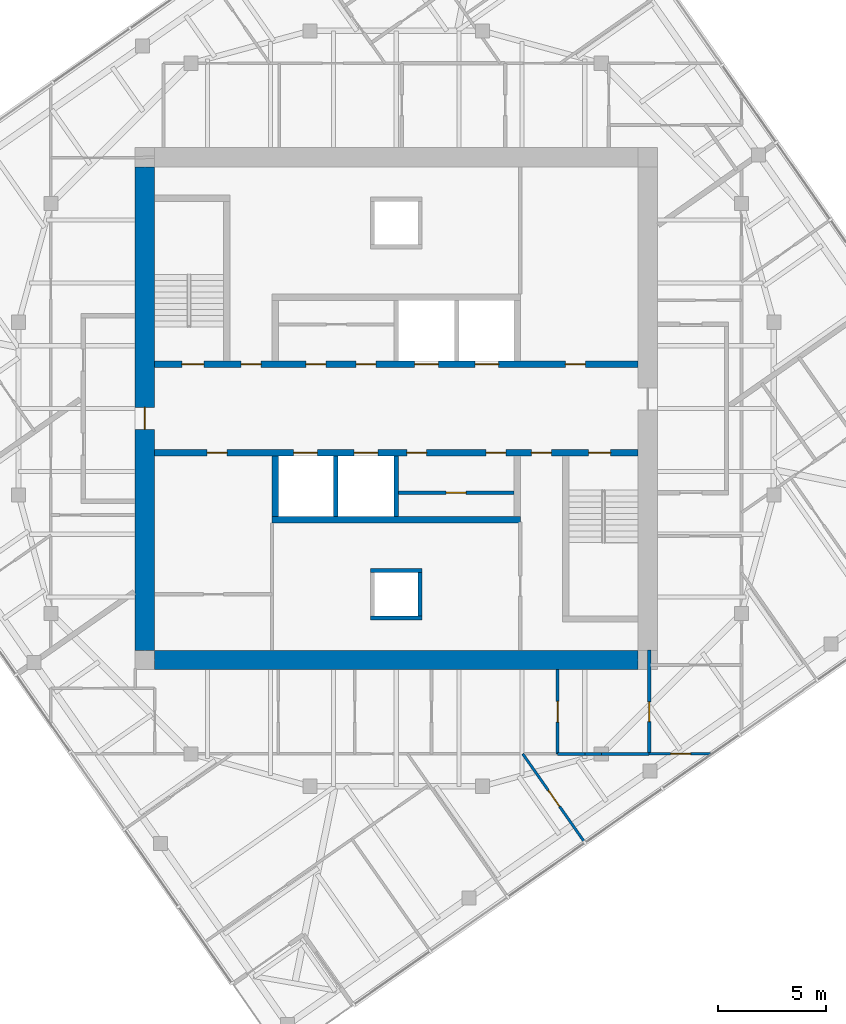
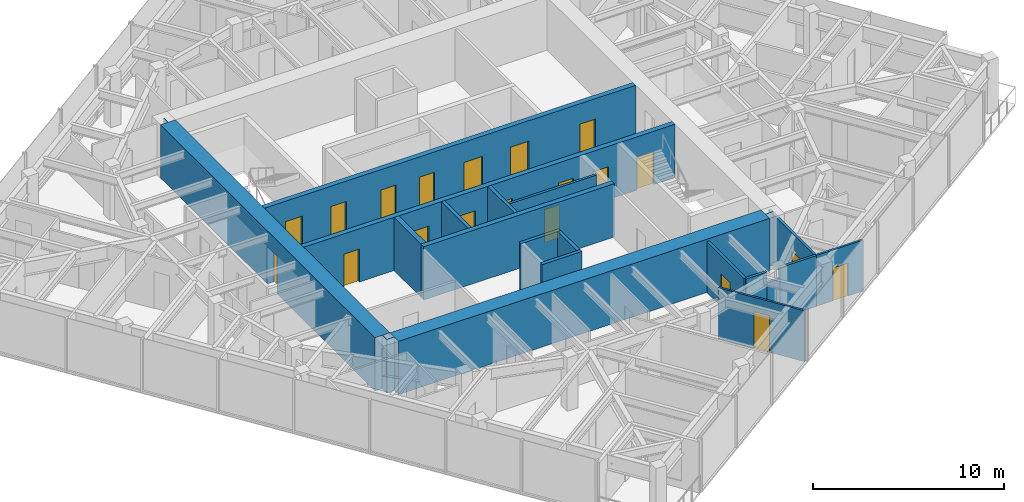
# One storey, part 8 of 12: 20 doors, 19 walls, 20 openings.
"""IFC4 building model written with IfcOpenShell, lengths in metres."""

from ifc_helpers import new_model, si_unit, direction, frame, frame_2d, origin, place, context, subcontext, project, spatial, polyline, rectangle, outline, extrude, material, layer, layer_set, type_object, element, fill, save


model = new_model("IFC4")

# Units and contexts
model_context = context("Model", 3, precision=1e-05, world=origin(), true_north=direction((0.0, 1.0)))
body_context = subcontext(model_context, "Body", "Model", "MODEL_VIEW")
ifc_project = project(units=[si_unit("LENGTHUNIT", "METRE"), si_unit("AREAUNIT", "SQUARE_METRE"), si_unit("VOLUMEUNIT", "CUBIC_METRE"), si_unit("PLANEANGLEUNIT", "RADIAN"), si_unit("MASSUNIT", "GRAM", prefix="KILO")], contexts=[model_context])

# Site, building, storey
site_placement = place(None, origin())
site = spatial("IfcSite", under=ifc_project, at=site_placement, CompositionType="ELEMENT")
building_placement = place(site_placement, origin())
building = spatial("IfcBuilding", under=site, at=building_placement, Name="Torsade Residences", CompositionType="ELEMENT")
storey_placement = place(building_placement, frame((0.0, 0.0, 257.39990234375)))
storey = spatial("IfcBuildingStorey", under=building, at=storey_placement, Name="L71", CompositionType="ELEMENT", Elevation=257.39990234375)

# Wall, openings, doors
ifc_material_1 = material(Name="Concrete 80 MPa", Category="concrete")
ifc_layer_1 = layer(ifc_material_1, 0.300048828125)
ifc_layer_set_1 = layer_set([ifc_layer_1], Name="Concrete 80 MPa")
wall_type_1 = type_object("IfcWallType", Name="CORE INTERNAL WALL 300", PredefinedType="SHEAR", material=ifc_layer_set_1)
wall_1_placement = place(storey_placement, frame((28.800048828125, 32.050048828125, 0.0), z_axis=(0.0, 0.0, 1.0), x_axis=(1.0, 0.0, 0.0)))
wall_1 = element("IfcWall", 1, at=wall_1_placement, inside=storey, type_object=wall_type_1, Name="Core wall LN L71", PredefinedType="SHEAR", context=body_context, shape_type="SweptSolid", body=[
    extrude(rectangle(XDim=22.39990234375, YDim=0.300048828125, at=frame_2d((11.199951171875, 0.0))), origin(), (0.0, 0.0, 1.0), 3.400146484375),
])
opening_1_placement = place(wall_1_placement, frame((19.0400390625, 0.0, 0.0)))
opening_1 = element("IfcOpeningElement", 2, at=opening_1_placement, cuts=wall_1, Name="Opening D06", PredefinedType="OPENING", context=body_context, shape_type="SweptSolid", body=[
    extrude(rectangle(XDim=0.919921875, YDim=2.10009765625, at=frame_2d((0.4599609375, 1.050048828125))), frame((0.0, 0.159912109375, 0.0), z_axis=(0.0, -1.0, 0.0), x_axis=(1.0, 0.0, 0.0)), (0.0, 0.0, 1.0), 0.320068359375),
])
opening_2_placement = place(wall_1_placement, frame((1.264892578125, 0.0, 0.0)))
opening_2 = element("IfcOpeningElement", 3, at=opening_2_placement, cuts=wall_1, Name="Opening D03", PredefinedType="OPENING", context=body_context, shape_type="SweptSolid", body=[
    extrude(rectangle(XDim=1.02001953125, YDim=2.10009765625, at=frame_2d((0.510009765625, 1.050048828125))), frame((0.0, 0.159912109375, 0.0), z_axis=(0.0, -1.0, 0.0), x_axis=(1.0, 0.0, 0.0)), (0.0, 0.0, 1.0), 0.320068359375),
])
opening_3_placement = place(wall_1_placement, frame((4.014892578125, 0.0, 0.0)))
opening_3 = element("IfcOpeningElement", 4, at=opening_3_placement, cuts=wall_1, Name="Opening D06", PredefinedType="OPENING", context=body_context, shape_type="SweptSolid", body=[
    extrude(rectangle(XDim=0.919921875, YDim=2.10009765625, at=frame_2d((0.4599609375, 1.050048828125))), frame((0.0, 0.159912109375, 0.0), z_axis=(0.0, -1.0, 0.0), x_axis=(1.0, 0.0, 0.0)), (0.0, 0.0, 1.0), 0.320068359375),
])
opening_4_placement = place(wall_1_placement, frame((7.014892578125, 0.0, 0.0)))
opening_4 = element("IfcOpeningElement", 5, at=opening_4_placement, cuts=wall_1, Name="Opening D06", PredefinedType="OPENING", context=body_context, shape_type="SweptSolid", body=[
    extrude(rectangle(XDim=0.919921875, YDim=2.10009765625, at=frame_2d((0.4599609375, 1.050048828125))), frame((0.0, 0.159912109375, 0.0), z_axis=(0.0, -1.0, 0.0), x_axis=(1.0, 0.0, 0.0)), (0.0, 0.0, 1.0), 0.320068359375),
])
opening_5_placement = place(wall_1_placement, frame((9.340087890625, 0.0, 0.0)))
opening_5 = element("IfcOpeningElement", 6, at=opening_5_placement, cuts=wall_1, Name="Opening D06", PredefinedType="OPENING", context=body_context, shape_type="SweptSolid", body=[
    extrude(rectangle(XDim=0.919921875, YDim=2.10009765625, at=frame_2d((0.4599609375, 1.050048828125))), frame((0.0, 0.159912109375, 0.0), z_axis=(0.0, -1.0, 0.0), x_axis=(1.0, 0.0, 0.0)), (0.0, 0.0, 1.0), 0.320068359375),
])
opening_6_placement = place(wall_1_placement, frame((12.050048828125, 0.0, 0.0)))
opening_6 = element("IfcOpeningElement", 7, at=opening_6_placement, cuts=wall_1, Name="Opening LD", PredefinedType="OPENING", context=body_context, shape_type="SweptSolid", body=[
    extrude(rectangle(XDim=1.10009765625, YDim=2.10009765625, at=frame_2d((0.550048828125, 1.050048828125))), frame((0.0, 0.159912109375, 0.0), z_axis=(0.0, -1.0, 0.0), x_axis=(1.0, 0.0, 0.0)), (0.0, 0.0, 1.0), 0.320068359375),
])
opening_7_placement = place(wall_1_placement, frame((14.85009765625, 0.0, 0.0)))
opening_7 = element("IfcOpeningElement", 8, at=opening_7_placement, cuts=wall_1, Name="Opening LD", PredefinedType="OPENING", context=body_context, shape_type="SweptSolid", body=[
    extrude(rectangle(XDim=1.10009765625, YDim=2.10009765625, at=frame_2d((0.550048828125, 1.050048828125))), frame((0.0, 0.159912109375, 0.0), z_axis=(0.0, -1.0, 0.0), x_axis=(1.0, 0.0, 0.0)), (0.0, 0.0, 1.0), 0.320068359375),
])
ifc_material_2 = material(Name="Steel-framed fire door", Category="steel")
door_type_1 = type_object("IfcDoorType", Name="FIRE DOOR 1020", OperationType="NOTDEFINED", PredefinedType="DOOR", material=ifc_material_2)
door_1_placement = place(opening_2_placement, origin())
door_1 = element("IfcDoor", 9, at=door_1_placement, inside=storey, type_object=door_type_1, Name="Exit door to fire-isolated stair ST1 L71", OperationType="SINGLE_SWING_RIGHT", OverallHeight=2.10009765625, OverallWidth=1.02001953125, PredefinedType="DOOR", context=body_context, shape_type="SweptSolid", body=[
    extrude(rectangle(XDim=1.02001953125, YDim=2.10009765625, at=frame_2d((0.510009765625, 1.050048828125))), frame((0.0, 0.02490234375, 0.0), z_axis=(0.0, -1.0, 0.0), x_axis=(1.0, 0.0, 0.0)), (0.0, 0.0, 1.0), 0.050048828125),
])
fill(opening_2, door_1)
ifc_material_3 = material(Name="Steel-framed fire door", Category="steel")
door_type_2 = type_object("IfcDoorType", Name="FIRE DOOR 920", OperationType="NOTDEFINED", PredefinedType="DOOR", material=ifc_material_3)
door_2_placement = place(opening_1_placement, origin())
door_2 = element("IfcDoor", 10, at=door_2_placement, inside=storey, type_object=door_type_2, Name="Door Lift lobby to Refuse room", OperationType="SINGLE_SWING_LEFT", OverallHeight=2.10009765625, OverallWidth=0.919921875, PredefinedType="DOOR", context=body_context, shape_type="SweptSolid", body=[
    extrude(rectangle(XDim=0.919921875, YDim=2.10009765625, at=frame_2d((0.4599609375, 1.050048828125))), frame((0.0, 0.02490234375, 0.0), z_axis=(0.0, -1.0, 0.0), x_axis=(1.0, 0.0, 0.0)), (0.0, 0.0, 1.0), 0.050048828125),
])
fill(opening_1, door_2)
door_3_placement = place(opening_3_placement, origin())
door_3 = element("IfcDoor", 11, at=door_3_placement, inside=storey, type_object=door_type_2, Name="Door Lift lobby to Electrical riser room", OperationType="SINGLE_SWING_LEFT", OverallHeight=2.10009765625, OverallWidth=0.919921875, PredefinedType="DOOR", context=body_context, shape_type="SweptSolid", body=[
    extrude(rectangle(XDim=0.919921875, YDim=2.10009765625, at=frame_2d((0.4599609375, 1.050048828125))), frame((0.0, 0.02490234375, 0.0), z_axis=(0.0, -1.0, 0.0), x_axis=(1.0, 0.0, 0.0)), (0.0, 0.0, 1.0), 0.050048828125),
])
fill(opening_3, door_3)
door_4_placement = place(opening_4_placement, origin())
door_4 = element("IfcDoor", 12, at=door_4_placement, inside=storey, type_object=door_type_2, Name="Door Lift lobby to Residents storage L71A", OperationType="SINGLE_SWING_RIGHT", OverallHeight=2.10009765625, OverallWidth=0.919921875, PredefinedType="DOOR", context=body_context, shape_type="SweptSolid", body=[
    extrude(rectangle(XDim=0.919921875, YDim=2.10009765625, at=frame_2d((0.4599609375, 1.050048828125))), frame((0.0, 0.02490234375, 0.0), z_axis=(0.0, -1.0, 0.0), x_axis=(1.0, 0.0, 0.0)), (0.0, 0.0, 1.0), 0.050048828125),
])
fill(opening_4, door_4)
door_5_placement = place(opening_5_placement, origin())
door_5 = element("IfcDoor", 13, at=door_5_placement, inside=storey, type_object=door_type_2, Name="Door Lift lobby to Residents storage L71A", OperationType="SINGLE_SWING_RIGHT", OverallHeight=2.10009765625, OverallWidth=0.919921875, PredefinedType="DOOR", context=body_context, shape_type="SweptSolid", body=[
    extrude(rectangle(XDim=0.919921875, YDim=2.10009765625, at=frame_2d((0.4599609375, 1.050048828125))), frame((0.0, 0.02490234375, 0.0), z_axis=(0.0, -1.0, 0.0), x_axis=(1.0, 0.0, 0.0)), (0.0, 0.0, 1.0), 0.050048828125),
])
fill(opening_5, door_5)
ifc_material_4 = material(Name="Stainless steel lift landing door", Category="steel")
door_type_3 = type_object("IfcDoorType", Name="LIFT LANDING DOOR 1100", OperationType="SLIDING_TO_LEFT", PredefinedType="DOOR", material=ifc_material_4)
door_6_placement = place(opening_6_placement, origin())
door_6 = element("IfcDoor", 14, at=door_6_placement, inside=storey, type_object=door_type_3, Name="Lift LA3 landing door L71", OperationType="SLIDING_TO_LEFT", OverallHeight=2.10009765625, OverallWidth=1.10009765625, PredefinedType="DOOR", context=body_context, shape_type="SweptSolid", body=[
    extrude(rectangle(XDim=1.10009765625, YDim=2.10009765625, at=frame_2d((0.550048828125, 1.050048828125))), frame((0.0, 0.02490234375, 0.0), z_axis=(0.0, -1.0, 0.0), x_axis=(1.0, 0.0, 0.0)), (0.0, 0.0, 1.0), 0.050048828125),
])
fill(opening_6, door_6)
door_7_placement = place(opening_7_placement, origin())
door_7 = element("IfcDoor", 15, at=door_7_placement, inside=storey, type_object=door_type_3, Name="Lift FL1 landing door L71", OperationType="SLIDING_TO_LEFT", OverallHeight=2.10009765625, OverallWidth=1.10009765625, PredefinedType="DOOR", context=body_context, shape_type="SweptSolid", body=[
    extrude(rectangle(XDim=1.10009765625, YDim=2.10009765625, at=frame_2d((0.550048828125, 1.050048828125))), frame((0.0, 0.02490234375, 0.0), z_axis=(0.0, -1.0, 0.0), x_axis=(1.0, 0.0, 0.0)), (0.0, 0.0, 1.0), 0.050048828125),
])
fill(opening_7, door_7)

wall_2_placement = place(storey_placement, frame((51.199951171875, 27.949951171875, 0.0), z_axis=(0.0, 0.0, 1.0), x_axis=(-1.0, 0.0, 0.0)))
wall_2 = element("IfcWall", 16, at=wall_2_placement, inside=storey, type_object=wall_type_1, Name="Core wall LS L71", PredefinedType="SHEAR", context=body_context, shape_type="SweptSolid", body=[
    extrude(rectangle(XDim=22.39990234375, YDim=0.300048828125, at=frame_2d((11.199951171875, 0.0))), origin(), (0.0, 0.0, 1.0), 3.400146484375),
])
opening_8_placement = place(wall_2_placement, frame((19.0400390625, 0.0, 0.0)))
opening_8 = element("IfcOpeningElement", 17, at=opening_8_placement, cuts=wall_2, Name="Opening D06", PredefinedType="OPENING", context=body_context, shape_type="SweptSolid", body=[
    extrude(rectangle(XDim=0.919921875, YDim=2.10009765625, at=frame_2d((0.4599609375, 1.050048828125))), frame((0.0, 0.159912109375, 0.0), z_axis=(0.0, -1.0, 0.0), x_axis=(1.0, 0.0, 0.0)), (0.0, 0.0, 1.0), 0.320068359375),
])
opening_9_placement = place(wall_2_placement, frame((1.264892578125, 0.0, 0.0)))
opening_9 = element("IfcOpeningElement", 18, at=opening_9_placement, cuts=wall_2, Name="Opening D03", PredefinedType="OPENING", context=body_context, shape_type="SweptSolid", body=[
    extrude(rectangle(XDim=1.02001953125, YDim=2.10009765625, at=frame_2d((0.510009765625, 1.050048828125))), frame((0.0, 0.159912109375, 0.0), z_axis=(0.0, -1.0, 0.0), x_axis=(1.0, 0.0, 0.0)), (0.0, 0.0, 1.0), 0.320068359375),
])
opening_10_placement = place(wall_2_placement, frame((4.014892578125, 0.0, 0.0)))
opening_10 = element("IfcOpeningElement", 19, at=opening_10_placement, cuts=wall_2, Name="Opening D06", PredefinedType="OPENING", context=body_context, shape_type="SweptSolid", body=[
    extrude(rectangle(XDim=0.919921875, YDim=2.10009765625, at=frame_2d((0.4599609375, 1.050048828125))), frame((0.0, 0.159912109375, 0.0), z_axis=(0.0, -1.0, 0.0), x_axis=(1.0, 0.0, 0.0)), (0.0, 0.0, 1.0), 0.320068359375),
])
opening_11_placement = place(wall_2_placement, frame((9.7900390625, 0.0, 0.0)))
opening_11 = element("IfcOpeningElement", 20, at=opening_11_placement, cuts=wall_2, Name="Opening D06", PredefinedType="OPENING", context=body_context, shape_type="SweptSolid", body=[
    extrude(rectangle(XDim=0.919921875, YDim=2.10009765625, at=frame_2d((0.4599609375, 1.050048828125))), frame((0.0, 0.159912109375, 0.0), z_axis=(0.0, -1.0, 0.0), x_axis=(1.0, 0.0, 0.0)), (0.0, 0.0, 1.0), 0.320068359375),
])
opening_12_placement = place(wall_2_placement, frame((6.114990234375, 0.0, 0.0)))
opening_12 = element("IfcOpeningElement", 21, at=opening_12_placement, cuts=wall_2, Name="Opening D06", PredefinedType="OPENING", context=body_context, shape_type="SweptSolid", body=[
    extrude(rectangle(XDim=0.919921875, YDim=2.10009765625, at=frame_2d((0.4599609375, 1.050048828125))), frame((0.0, 0.159912109375, 0.0), z_axis=(0.0, -1.0, 0.0), x_axis=(1.0, 0.0, 0.0)), (0.0, 0.0, 1.0), 0.320068359375),
])
opening_13_placement = place(wall_2_placement, frame((12.050048828125, 0.0, 0.0)))
opening_13 = element("IfcOpeningElement", 22, at=opening_13_placement, cuts=wall_2, Name="Opening LD", PredefinedType="OPENING", context=body_context, shape_type="SweptSolid", body=[
    extrude(rectangle(XDim=1.10009765625, YDim=2.10009765625, at=frame_2d((0.550048828125, 1.050048828125))), frame((0.0, 0.159912109375, 0.0), z_axis=(0.0, -1.0, 0.0), x_axis=(1.0, 0.0, 0.0)), (0.0, 0.0, 1.0), 0.320068359375),
])
opening_14_placement = place(wall_2_placement, frame((14.85009765625, 0.0, 0.0)))
opening_14 = element("IfcOpeningElement", 23, at=opening_14_placement, cuts=wall_2, Name="Opening LD", PredefinedType="OPENING", context=body_context, shape_type="SweptSolid", body=[
    extrude(rectangle(XDim=1.10009765625, YDim=2.10009765625, at=frame_2d((0.550048828125, 1.050048828125))), frame((0.0, 0.159912109375, 0.0), z_axis=(0.0, -1.0, 0.0), x_axis=(1.0, 0.0, 0.0)), (0.0, 0.0, 1.0), 0.320068359375),
])
door_8_placement = place(opening_9_placement, origin())
door_8 = element("IfcDoor", 24, at=door_8_placement, inside=storey, type_object=door_type_1, Name="Exit door to fire-isolated stair ST2 L71", OperationType="SINGLE_SWING_RIGHT", OverallHeight=2.10009765625, OverallWidth=1.02001953125, PredefinedType="DOOR", context=body_context, shape_type="SweptSolid", body=[
    extrude(rectangle(XDim=1.02001953125, YDim=2.10009765625, at=frame_2d((0.510009765625, 1.050048828125))), frame((0.0, 0.02490234375, 0.0), z_axis=(0.0, -1.0, 0.0), x_axis=(1.0, 0.0, 0.0)), (0.0, 0.0, 1.0), 0.050048828125),
])
fill(opening_9, door_8)
door_9_placement = place(opening_8_placement, origin())
door_9 = element("IfcDoor", 25, at=door_9_placement, inside=storey, type_object=door_type_2, Name="Door Lift lobby to Cleaner store", OperationType="SINGLE_SWING_LEFT", OverallHeight=2.10009765625, OverallWidth=0.919921875, PredefinedType="DOOR", context=body_context, shape_type="SweptSolid", body=[
    extrude(rectangle(XDim=0.919921875, YDim=2.10009765625, at=frame_2d((0.4599609375, 1.050048828125))), frame((0.0, 0.02490234375, 0.0), z_axis=(0.0, -1.0, 0.0), x_axis=(1.0, 0.0, 0.0)), (0.0, 0.0, 1.0), 0.050048828125),
])
fill(opening_8, door_9)
door_10_placement = place(opening_10_placement, origin())
door_10 = element("IfcDoor", 26, at=door_10_placement, inside=storey, type_object=door_type_2, Name="Door Lift lobby to Security and data store", OperationType="SINGLE_SWING_RIGHT", OverallHeight=2.10009765625, OverallWidth=0.919921875, PredefinedType="DOOR", context=body_context, shape_type="SweptSolid", body=[
    extrude(rectangle(XDim=0.919921875, YDim=2.10009765625, at=frame_2d((0.4599609375, 1.050048828125))), frame((0.0, 0.02490234375, 0.0), z_axis=(0.0, -1.0, 0.0), x_axis=(1.0, 0.0, 0.0)), (0.0, 0.0, 1.0), 0.050048828125),
])
fill(opening_10, door_10)
door_11_placement = place(opening_11_placement, origin())
door_11 = element("IfcDoor", 27, at=door_11_placement, inside=storey, type_object=door_type_2, Name="Door Lift lobby to Bulky waste store L71C", OperationType="SINGLE_SWING_RIGHT", OverallHeight=2.10009765625, OverallWidth=0.919921875, PredefinedType="DOOR", context=body_context, shape_type="SweptSolid", body=[
    extrude(rectangle(XDim=0.919921875, YDim=2.10009765625, at=frame_2d((0.4599609375, 1.050048828125))), frame((0.0, 0.02490234375, 0.0), z_axis=(0.0, -1.0, 0.0), x_axis=(1.0, 0.0, 0.0)), (0.0, 0.0, 1.0), 0.050048828125),
])
fill(opening_11, door_11)
door_12_placement = place(opening_12_placement, origin())
door_12 = element("IfcDoor", 28, at=door_12_placement, inside=storey, type_object=door_type_2, Name="Door Lift lobby to Bulky waste store L71C", OperationType="SINGLE_SWING_LEFT", OverallHeight=2.10009765625, OverallWidth=0.919921875, PredefinedType="DOOR", context=body_context, shape_type="SweptSolid", body=[
    extrude(rectangle(XDim=0.919921875, YDim=2.10009765625, at=frame_2d((0.4599609375, 1.050048828125))), frame((0.0, 0.02490234375, 0.0), z_axis=(0.0, -1.0, 0.0), x_axis=(1.0, 0.0, 0.0)), (0.0, 0.0, 1.0), 0.050048828125),
])
fill(opening_12, door_12)
door_13_placement = place(opening_13_placement, origin())
door_13 = element("IfcDoor", 29, at=door_13_placement, inside=storey, type_object=door_type_3, Name="Lift LB3 landing door L71", OperationType="SLIDING_TO_LEFT", OverallHeight=2.10009765625, OverallWidth=1.10009765625, PredefinedType="DOOR", context=body_context, shape_type="SweptSolid", body=[
    extrude(rectangle(XDim=1.10009765625, YDim=2.10009765625, at=frame_2d((0.550048828125, 1.050048828125))), frame((0.0, 0.02490234375, 0.0), z_axis=(0.0, -1.0, 0.0), x_axis=(1.0, 0.0, 0.0)), (0.0, 0.0, 1.0), 0.050048828125),
])
fill(opening_13, door_13)
door_14_placement = place(opening_14_placement, origin())
door_14 = element("IfcDoor", 30, at=door_14_placement, inside=storey, type_object=door_type_3, Name="Lift FL2 landing door L71", OperationType="SLIDING_TO_LEFT", OverallHeight=2.10009765625, OverallWidth=1.10009765625, PredefinedType="DOOR", context=body_context, shape_type="SweptSolid", body=[
    extrude(rectangle(XDim=1.10009765625, YDim=2.10009765625, at=frame_2d((0.550048828125, 1.050048828125))), frame((0.0, 0.02490234375, 0.0), z_axis=(0.0, -1.0, 0.0), x_axis=(1.0, 0.0, 0.0)), (0.0, 0.0, 1.0), 0.050048828125),
])
fill(opening_14, door_14)

# Walls
wall_3_placement = place(storey_placement, frame((45.75, 24.85009765625, 0.0), z_axis=(0.0, 0.0, 1.0), x_axis=(-1.0, 0.0, 0.0)))
element("IfcWall", 31, at=wall_3_placement, inside=storey, type_object=wall_type_1, Name="Core wall BS L71", PredefinedType="SHEAR", context=body_context, shape_type="SweptSolid", body=[
    extrude(rectangle(XDim=11.5, YDim=0.300048828125, at=frame_2d((5.75, 0.0))), origin(), (0.0, 0.0, 1.0), 3.400146484375),
])
wall_4_placement = place(storey_placement, frame((34.39990234375, 27.800048828125, 0.0), z_axis=(0.0, 0.0, 1.0), x_axis=(0.0, -1.0, 0.0)))
element("IfcWall", 32, at=wall_4_placement, inside=storey, type_object=wall_type_1, Name="Core wall DS4 L71", PredefinedType="SHEAR", context=body_context, shape_type="SweptSolid", body=[
    extrude(rectangle(XDim=2.800048828125, YDim=0.300048828125, at=frame_2d((1.39990234375, 0.0))), origin(), (0.0, 0.0, 1.0), 3.400146484375),
])
ifc_material_5 = material(Name="Concrete 80 MPa", Category="concrete")
ifc_layer_2 = layer(ifc_material_5, 0.89990234375)
ifc_layer_set_2 = layer_set([ifc_layer_2], Name="Concrete 80 MPa")
wall_type_2 = type_object("IfcWallType", Name="CORE WALL 900", PredefinedType="SHEAR", material=ifc_layer_set_2)
wall_5_placement = place(storey_placement, frame((51.199951171875, 18.35009765625, 0.0), z_axis=(0.0, 0.0, 1.0), x_axis=(-1.0, 0.0, 0.0)))
element("IfcWall", 33, at=wall_5_placement, inside=storey, type_object=wall_type_2, Name="Core wall S L71", PredefinedType="SHEAR", context=body_context, shape_type="SweptSolid", body=[
    extrude(outline(polyline([(0.0, -0.449951171875), (22.39990234375, -0.449951171875), (22.39990234375, -0.02490234375), (22.849853515625, -0.02490234375), (22.849853515625, 0.02490234375), (22.39990234375, 0.02490234375), (22.39990234375, 0.449951171875), (0.0, 0.449951171875), (0.0, 0.02490234375), (-0.449951171875, 0.02490234375), (-0.449951171875, -0.02490234375), (0.0, -0.02490234375), (0.0, -0.449951171875)])), origin(), (0.0, 0.0, 1.0), 3.400146484375),
])

# Wall, opening, door
wall_6_placement = place(storey_placement, frame((28.35009765625, 41.199951171875, 0.0), z_axis=(0.0, 0.0, 1.0), x_axis=(0.0, -1.0, 0.0)))
wall_6 = element("IfcWall", 34, at=wall_6_placement, inside=storey, type_object=wall_type_2, Name="Core wall W L71", PredefinedType="SHEAR", context=body_context, shape_type="SweptSolid", body=[
    extrude(outline(polyline([(0.0, -0.449951171875), (22.39990234375, -0.449951171875), (22.39990234375, -0.02490234375), (22.849853515625, -0.02490234375), (22.849853515625, 0.02490234375), (22.39990234375, 0.02490234375), (22.39990234375, 0.449951171875), (0.0, 0.449951171875), (0.0, 0.02490234375), (-0.449951171875, 0.02490234375), (-0.449951171875, -0.02490234375), (0.0, -0.02490234375), (0.0, -0.449951171875)])), origin(), (0.0, 0.0, 1.0), 3.400146484375),
])
opening_15_placement = place(wall_6_placement, frame((11.139892578125, 0.0, 0.0)))
opening_15 = element("IfcOpeningElement", 35, at=opening_15_placement, cuts=wall_6, Name="Opening D04", PredefinedType="OPENING", context=body_context, shape_type="SweptSolid", body=[
    extrude(rectangle(XDim=1.02001953125, YDim=2.39990234375, at=frame_2d((0.510009765625, 1.199951171875))), frame((0.0, 0.4599609375, 0.0), z_axis=(0.0, -1.0, 0.0), x_axis=(1.0, 0.0, 0.0)), (0.0, 0.0, 1.0), 0.919921875),
])
ifc_material_6 = material(Name="Steel-framed fire door", Category="steel")
door_type_4 = type_object("IfcDoorType", Name="LOBBY SMOKE DOOR 1020x2400", OperationType="NOTDEFINED", PredefinedType="DOOR", material=ifc_material_6)
door_15_placement = place(opening_15_placement, origin())
door_15 = element("IfcDoor", 36, at=door_15_placement, inside=storey, type_object=door_type_4, Name="Lift lobby door W L71", OperationType="SINGLE_SWING_RIGHT", OverallHeight=2.39990234375, OverallWidth=1.02001953125, PredefinedType="DOOR", context=body_context, shape_type="SweptSolid", body=[
    extrude(rectangle(XDim=1.02001953125, YDim=2.39990234375, at=frame_2d((0.510009765625, 1.199951171875))), frame((0.0, 0.02490234375, 0.0), z_axis=(0.0, -1.0, 0.0), x_axis=(1.0, 0.0, 0.0)), (0.0, 0.0, 1.0), 0.050048828125),
])
fill(opening_15, door_15)

# Walls
ifc_material_7 = material(Name="Reinforced blockwork", Category="masonry")
ifc_layer_3 = layer(ifc_material_7, 0.199951171875)
ifc_layer_set_3 = layer_set([ifc_layer_3], Name="Reinforced blockwork")
wall_type_3 = type_object("IfcWallType", Name="LIFT SHAFT DIVIDING WALL 200", PredefinedType="SOLIDWALL", material=ifc_layer_set_3)
for number, where, z_axis, x_axis, name in (
    (37, (40.0, 27.800048828125, 0.0), (0.0, 0.0, 1.0), (0.0, -1.0, 0.0), "Core wall DS2 L71"),
    (38, (37.199951171875, 27.800048828125, 0.0), (0.0, 0.0, 1.0), (0.0, -1.0, 0.0), "Core wall DS3 L71"),
):
    element("IfcWall", number, at=place(storey_placement, frame(where, z_axis=z_axis, x_axis=x_axis)), inside=storey, type_object=wall_type_3, Name=name, PredefinedType="SOLIDWALL", context=body_context, shape_type="SweptSolid", body=[
        extrude(rectangle(XDim=2.800048828125, YDim=0.199951171875, at=frame_2d((1.39990234375, 0.0))), origin(), (0.0, 0.0, 1.0), 3.400146484375),
    ])

# Wall, opening, door
ifc_material_8 = material(Name="Plasterboard on steel stud", Category="steel")
ifc_layer_4 = layer(ifc_material_8, 0.1201171875)
ifc_layer_set_4 = layer_set([ifc_layer_4], Name="Plasterboard on steel stud")
wall_type_4 = type_object("IfcWallType", Name="PARTITION 120", PredefinedType="PARTITIONING", material=ifc_layer_set_4)
wall_7_placement = place(storey_placement, frame((54.56396484375, 14.0, 0.0), z_axis=(0.0, 0.0, 1.0), x_axis=(-1.0, 0.0, 0.0)))
wall_7 = element("IfcWall", 39, at=wall_7_placement, inside=storey, type_object=wall_type_4, Name="Partition L71", PredefinedType="PARTITIONING", context=body_context, shape_type="SweptSolid", body=[
    extrude(rectangle(XDim=2.841552734375, YDim=0.1201171875, at=frame_2d((1.4208984375, 0.0))), origin(), (0.0, 0.0, 1.0), 3.25),
])
opening_16_placement = place(wall_7_placement, frame((0.926025390625, 0.0, 0.0)))
opening_16 = element("IfcOpeningElement", 40, at=opening_16_placement, cuts=wall_7, Name="Opening D02L", PredefinedType="OPENING", context=body_context, shape_type="SweptSolid", body=[
    extrude(rectangle(XDim=0.919921875, YDim=2.10009765625, at=frame_2d((0.4599609375, 1.050048828125))), frame((0.0, 0.070068359375, 0.0), z_axis=(0.0, -1.0, 0.0), x_axis=(1.0, 0.0, 0.0)), (0.0, 0.0, 1.0), 0.14013671875),
])
ifc_material_9 = material(Name="Hollow-core timber door", Category="wood")
door_type_5 = type_object("IfcDoorType", Name="INTERNAL DOOR 920x2100", OperationType="NOTDEFINED", PredefinedType="DOOR", material=ifc_material_9)
door_16_placement = place(opening_16_placement, origin())
door_16 = element("IfcDoor", 41, at=door_16_placement, inside=storey, type_object=door_type_5, Name="Door Study to Dining room", OperationType="SINGLE_SWING_RIGHT", OverallHeight=2.10009765625, OverallWidth=0.919921875, PredefinedType="DOOR", context=body_context, shape_type="SweptSolid", body=[
    extrude(rectangle(XDim=0.919921875, YDim=2.10009765625, at=frame_2d((0.4599609375, 1.050048828125))), frame((0.0, 0.02490234375, 0.0), z_axis=(0.0, -1.0, 0.0), x_axis=(1.0, 0.0, 0.0)), (0.0, 0.0, 1.0), 0.050048828125),
])
fill(opening_16, door_16)

wall_8_placement = place(storey_placement, frame((45.8623046875, 14.0, 0.0), z_axis=(0.0, 0.0, 1.0), x_axis=(0.57358708951, -0.819144584763, 0.0)))
wall_8 = element("IfcWall", 42, at=wall_8_placement, inside=storey, type_object=wall_type_4, Name="Partition L71", PredefinedType="PARTITIONING", context=body_context, shape_type="SweptSolid", body=[
    extrude(rectangle(XDim=4.990966796875, YDim=0.1201171875, at=frame_2d((2.49560546875, 0.0))), origin(), (0.0, 0.0, 1.0), 3.25),
])
opening_17_placement = place(wall_8_placement, frame((2.055419921875, 0.0, 0.0)))
opening_17 = element("IfcOpeningElement", 43, at=opening_17_placement, cuts=wall_8, Name="Opening D02", PredefinedType="OPENING", context=body_context, shape_type="SweptSolid", body=[
    extrude(rectangle(XDim=0.919921875, YDim=2.340087890625, at=frame_2d((0.4599609375, 1.169921875))), frame((0.0, 0.070068359375, 0.0), z_axis=(0.0, -1.0, 0.0), x_axis=(1.0, 0.0, 0.0)), (0.0, 0.0, 1.0), 0.14013671875),
])
ifc_material_10 = material(Name="Hollow-core timber door", Category="wood")
door_type_6 = type_object("IfcDoorType", Name="INTERNAL DOOR 920x2340", OperationType="NOTDEFINED", PredefinedType="DOOR", material=ifc_material_10)
door_17_placement = place(opening_17_placement, origin())
door_17 = element("IfcDoor", 44, at=door_17_placement, inside=storey, type_object=door_type_6, Name="Door Dining room to Bedroom 4", OperationType="SINGLE_SWING_LEFT", OverallHeight=2.340087890625, OverallWidth=0.919921875, PredefinedType="DOOR", context=body_context, shape_type="SweptSolid", body=[
    extrude(rectangle(XDim=0.919921875, YDim=2.340087890625, at=frame_2d((0.4599609375, 1.169921875))), frame((0.0, 0.02490234375, 0.0), z_axis=(0.0, -1.0, 0.0), x_axis=(1.0, 0.0, 0.0)), (0.0, 0.0, 1.0), 0.050048828125),
])
fill(opening_17, door_17)

# Walls
ifc_material_11 = material(Name="Reinforced blockwork", Category="masonry")
ifc_layer_5 = layer(ifc_material_11, 0.199951171875)
ifc_layer_set_5 = layer_set([ifc_layer_5], Name="Reinforced blockwork")
wall_type_5 = type_object("IfcWallType", Name="RISER SHAFT WALL 200", PredefinedType="SOLIDWALL", material=ifc_layer_set_5)
wall_9_placement = place(storey_placement, frame((41.10009765625, 22.39990234375, 0.0), z_axis=(0.0, 0.0, 1.0), x_axis=(0.0, -1.0, 0.0)))
element("IfcWall", 45, at=wall_9_placement, inside=storey, type_object=wall_type_5, Name="Core wall RS2b L71", PredefinedType="SOLIDWALL", context=body_context, shape_type="SweptSolid", body=[
    extrude(rectangle(XDim=2.0, YDim=0.199951171875, at=frame_2d((1.0, 0.0))), origin(), (0.0, 0.0, 1.0), 3.400146484375),
])
for number, where, z_axis, x_axis, name in (
    (46, (38.800048828125, 22.5, 0.0), (0.0, 0.0, 1.0), (1.0, 0.0, 0.0), "Core wall RS2c L71"),
    (47, (38.800048828125, 20.300048828125, 0.0), (0.0, 0.0, 1.0), (1.0, 0.0, 0.0), "Core wall RS2d L71"),
):
    element("IfcWall", number, at=place(storey_placement, frame(where, z_axis=z_axis, x_axis=x_axis)), inside=storey, type_object=wall_type_5, Name=name, PredefinedType="SOLIDWALL", context=body_context, shape_type="SweptSolid", body=[
        extrude(rectangle(XDim=2.39990234375, YDim=0.199951171875, at=frame_2d((1.199951171875, 0.0))), origin(), (0.0, 0.0, 1.0), 3.400146484375),
    ])

# Wall, opening, door
ifc_material_12 = material(Name="Reinforced blockwork", Category="masonry")
ifc_layer_6 = layer(ifc_material_12, 0.14990234375)
ifc_layer_set_6 = layer_set([ifc_layer_6], Name="Reinforced blockwork")
wall_type_6 = type_object("IfcWallType", Name="SERVICE ROOM WALL 150", PredefinedType="SOLIDWALL", material=ifc_layer_set_6)
wall_10_placement = place(storey_placement, frame((47.476318359375, 17.89990234375, 0.0), z_axis=(0.0, 0.0, 1.0), x_axis=(0.0, -1.0, 0.0)))
wall_10 = element("IfcWall", 48, at=wall_10_placement, inside=storey, type_object=wall_type_6, Name="Service room wall L71", PredefinedType="SOLIDWALL", context=body_context, shape_type="SweptSolid", body=[
    extrude(rectangle(XDim=3.89990234375, YDim=0.14990234375, at=frame_2d((1.949951171875, 0.0))), origin(), (0.0, 0.0, 1.0), 3.25),
])
opening_18_placement = place(wall_10_placement, frame((1.469970703125, 0.0, 0.0)))
opening_18 = element("IfcOpeningElement", 49, at=opening_18_placement, cuts=wall_10, Name="Opening D05", PredefinedType="OPENING", context=body_context, shape_type="SweptSolid", body=[
    extrude(rectangle(XDim=0.9599609375, YDim=2.10009765625, at=frame_2d((0.47998046875, 1.050048828125))), frame((0.0, 0.0849609375, 0.0), z_axis=(0.0, -1.0, 0.0), x_axis=(1.0, 0.0, 0.0)), (0.0, 0.0, 1.0), 0.169921875),
])
ifc_material_13 = material(Name="Hollow-core timber door in a steel cavity frame", Category="steel")
door_type_7 = type_object("IfcDoorType", Name="BATHROOM CAVITY SLIDING DOOR 960", OperationType="SLIDING_TO_LEFT", PredefinedType="DOOR", material=ifc_material_13)
door_18_placement = place(opening_18_placement, origin())
door_18 = element("IfcDoor", 50, at=door_18_placement, inside=storey, type_object=door_type_7, Name="Door Linen store to Laundry", OperationType="SLIDING_TO_LEFT", OverallHeight=2.10009765625, OverallWidth=0.9599609375, PredefinedType="DOOR", context=body_context, shape_type="SweptSolid", body=[
    extrude(rectangle(XDim=0.9599609375, YDim=2.10009765625, at=frame_2d((0.47998046875, 1.050048828125))), frame((0.0, 0.02490234375, 0.0), z_axis=(0.0, -1.0, 0.0), x_axis=(1.0, 0.0, 0.0)), (0.0, 0.0, 1.0), 0.050048828125),
])
fill(opening_18, door_18)

wall_11_placement = place(storey_placement, frame((51.722412109375, 14.0, 0.0), z_axis=(0.0, 0.0, 1.0), x_axis=(0.0, 1.0, 0.0)))
wall_11 = element("IfcWall", 51, at=wall_11_placement, inside=storey, type_object=wall_type_6, Name="Service room wall L71", PredefinedType="SOLIDWALL", context=body_context, shape_type="SweptSolid", body=[
    extrude(rectangle(XDim=4.820068359375, YDim=0.14990234375, at=frame_2d((2.41015625, 0.0))), origin(), (0.0, 0.0, 1.0), 3.25),
])
opening_19_placement = place(wall_11_placement, frame((1.489990234375, 0.0, 0.0)))
opening_19 = element("IfcOpeningElement", 52, at=opening_19_placement, cuts=wall_11, Name="Opening D02L", PredefinedType="OPENING", context=body_context, shape_type="SweptSolid", body=[
    extrude(rectangle(XDim=0.919921875, YDim=2.10009765625, at=frame_2d((0.4599609375, 1.050048828125))), frame((0.0, 0.0849609375, 0.0), z_axis=(0.0, -1.0, 0.0), x_axis=(1.0, 0.0, 0.0)), (0.0, 0.0, 1.0), 0.169921875),
])
door_19_placement = place(opening_19_placement, origin())
door_19 = element("IfcDoor", 53, at=door_19_placement, inside=storey, type_object=door_type_5, Name="Door Study to Linen store", OperationType="SINGLE_SWING_LEFT", OverallHeight=2.10009765625, OverallWidth=0.919921875, PredefinedType="DOOR", context=body_context, shape_type="SweptSolid", body=[
    extrude(rectangle(XDim=0.919921875, YDim=2.10009765625, at=frame_2d((0.4599609375, 1.050048828125))), frame((0.0, 0.02490234375, 0.0), z_axis=(0.0, -1.0, 0.0), x_axis=(1.0, 0.0, 0.0)), (0.0, 0.0, 1.0), 0.050048828125),
])
fill(opening_19, door_19)

# Walls
wall_12_placement = place(storey_placement, frame((51.722412109375, 14.0, 0.0), z_axis=(0.0, 0.0, 1.0), x_axis=(-1.0, 0.0, 0.0)))
element("IfcWall", 54, at=wall_12_placement, inside=storey, type_object=wall_type_6, Name="Service room wall L71", PredefinedType="SOLIDWALL", context=body_context, shape_type="SweptSolid", body=[
    extrude(rectangle(XDim=2.201904296875, YDim=0.14990234375, at=frame_2d((1.10107421875, 0.0))), origin(), (0.0, 0.0, 1.0), 3.25),
])
wall_13_placement = place(storey_placement, frame((49.5205078125, 14.0, 0.0), z_axis=(0.0, 0.0, 1.0), x_axis=(-1.0, 0.0, 0.0)))
element("IfcWall", 55, at=wall_13_placement, inside=storey, type_object=wall_type_6, Name="Service room wall L71", PredefinedType="SOLIDWALL", context=body_context, shape_type="SweptSolid", body=[
    extrude(rectangle(XDim=0.7705078125, YDim=0.14990234375, at=frame_2d((0.38525390625, 0.0))), origin(), (0.0, 0.0, 1.0), 2.550048828125),
])
wall_14_placement = place(storey_placement, frame((48.75, 14.0, 0.0), z_axis=(0.0, 0.0, 1.0), x_axis=(-1.0, 0.0, 0.0)))
element("IfcWall", 56, at=wall_14_placement, inside=storey, type_object=wall_type_6, Name="Service room wall L71", PredefinedType="SOLIDWALL", context=body_context, shape_type="SweptSolid", body=[
    extrude(rectangle(XDim=1.273681640625, YDim=0.14990234375, at=frame_2d((0.63671875, 0.0))), origin(), (0.0, 0.0, 1.0), 3.25),
])

# Wall, opening, door
wall_15_placement = place(storey_placement, frame((40.10009765625, 26.10009765625, 0.0), z_axis=(0.0, 0.0, 1.0), x_axis=(1.0, 0.0, 0.0)))
wall_15 = element("IfcWall", 57, at=wall_15_placement, inside=storey, type_object=wall_type_6, Name="Service room wall L71", PredefinedType="SOLIDWALL", context=body_context, shape_type="SweptSolid", body=[
    extrude(rectangle(XDim=5.349853515625, YDim=0.14990234375, at=frame_2d((2.6748046875, 0.0))), origin(), (0.0, 0.0, 1.0), 3.25),
])
opening_20_placement = place(wall_15_placement, frame((2.215087890625, 0.0, 0.0)))
opening_20 = element("IfcOpeningElement", 58, at=opening_20_placement, cuts=wall_15, Name="Opening D06", PredefinedType="OPENING", context=body_context, shape_type="SweptSolid", body=[
    extrude(rectangle(XDim=0.919921875, YDim=2.10009765625, at=frame_2d((0.4599609375, 1.050048828125))), frame((0.0, 0.0849609375, 0.0), z_axis=(0.0, -1.0, 0.0), x_axis=(1.0, 0.0, 0.0)), (0.0, 0.0, 1.0), 0.169921875),
])
door_20_placement = place(opening_20_placement, origin())
door_20 = element("IfcDoor", 59, at=door_20_placement, inside=storey, type_object=door_type_2, Name="Door Bulky waste store L71C to Equipment store L71D", OperationType="SINGLE_SWING_LEFT", OverallHeight=2.10009765625, OverallWidth=0.919921875, PredefinedType="DOOR", context=body_context, shape_type="SweptSolid", body=[
    extrude(rectangle(XDim=0.919921875, YDim=2.10009765625, at=frame_2d((0.4599609375, 1.050048828125))), frame((0.0, 0.02490234375, 0.0), z_axis=(0.0, -1.0, 0.0), x_axis=(1.0, 0.0, 0.0)), (0.0, 0.0, 1.0), 0.050048828125),
])
fill(opening_20, door_20)

save(model, "model.ifc")
